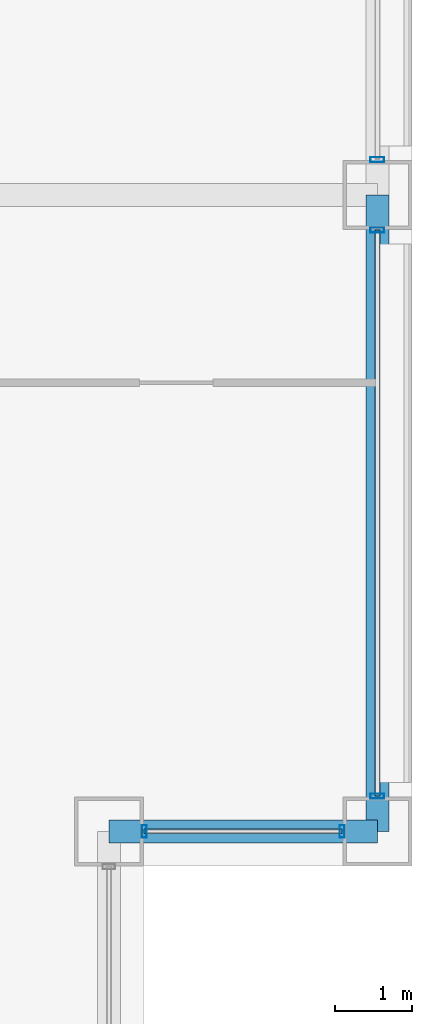
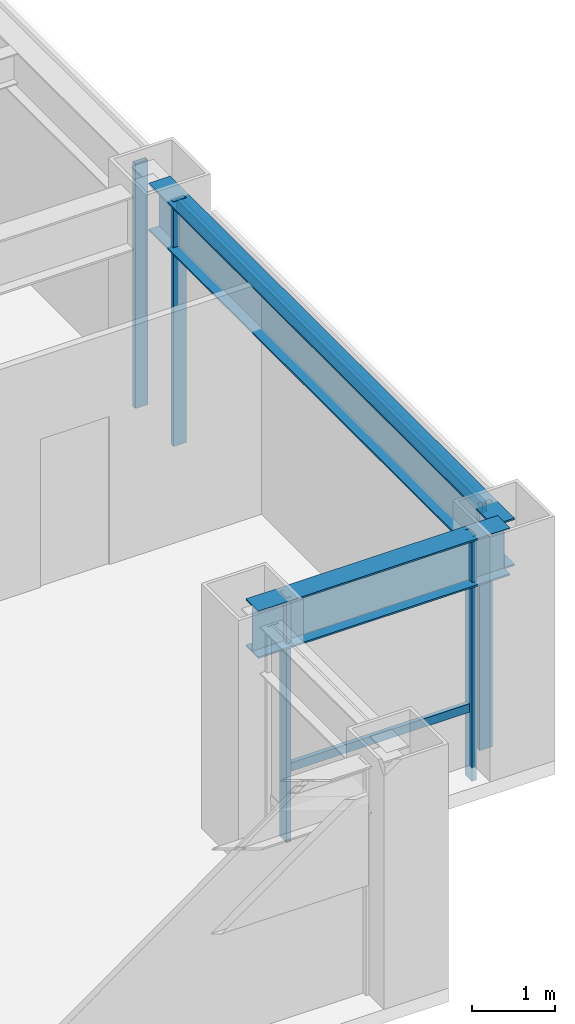
# One storey, part 10 of 28: 7 members, 2 beams, 3 elements without a shape of their own.
"""IFC4 building model written with IfcOpenShell, lengths in metres."""

from ifc_helpers import new_model, si_unit, direction, frame, origin, origin_2d, place, context, subcontext, project, spatial, hollow_rectangle, i_section, extrude, material, layer, layer_set, material_profile, profile_set, type_object, element, aggregate, save


model = new_model("IFC4")

# Units and contexts
model_context = context("Model", 3, precision=1e-05, world=origin(), true_north=direction((0.0, 1.0)))
body_context = subcontext(model_context, "Body", "Model", "MODEL_VIEW")
ifc_project = project(units=[si_unit("LENGTHUNIT", "METRE"), si_unit("AREAUNIT", "SQUARE_METRE"), si_unit("VOLUMEUNIT", "CUBIC_METRE"), si_unit("PLANEANGLEUNIT", "RADIAN"), si_unit("MASSUNIT", "GRAM", prefix="KILO")], contexts=[model_context])

# Site, building, storey
site_placement = place(None, origin())
site = spatial("IfcSite", under=ifc_project, at=site_placement, CompositionType="ELEMENT")
building_placement = place(site_placement, origin())
building = spatial("IfcBuilding", under=site, at=building_placement, Name="Brelmoor Portico Tower", CompositionType="ELEMENT")
storey_placement = place(building_placement, frame((0.0, 0.0, 70.800048828125)))
storey = spatial("IfcBuildingStorey", under=building, at=storey_placement, Name="L18", CompositionType="ELEMENT", Elevation=70.800048828125)

# Beams
ifc_material_1 = material(Name="Steel Q355B", Category="steel")
ifc_material_profile_1 = material_profile(ifc_material_1, i_section(OverallWidth=0.300048828125, OverallDepth=0.699951171875, WebThickness=0.012939453125, FlangeThickness=0.02392578125, at=origin_2d()), Name="HN 700x300x13x24")
ifc_profile_set_1 = profile_set([ifc_material_profile_1], Name="Steel Q355B")
beam_type = type_object("IfcBeamType", Name="BM-SP-700", PredefinedType="SPANDREL", material=ifc_profile_set_1)
beam_1_placement = place(storey_placement, frame((21.050048828125, -18.050048828125, 3.050048828125), z_axis=(1.0, 0.0, 0.0), x_axis=(0.0, 1.0, 0.0)))
element("IfcBeam", 1, at=beam_1_placement, inside=storey, type_object=beam_type, Name="L18 Perimeter Spandrel Beam SP-07", PredefinedType="SPANDREL", context=body_context, shape_type="SweptSolid", body=[
    extrude(i_section(OverallWidth=0.300048828125, OverallDepth=0.699951171875, WebThickness=0.012939453125, FlangeThickness=0.02392578125, at=origin_2d()), origin(), (0.0, 0.0, 1.0), 3.5),
])
beam_2_placement = place(storey_placement, frame((24.550048828125, -18.050048828125, 3.050048828125), z_axis=(0.0, 1.0, 0.0), x_axis=(-1.0, 0.0, 0.0)))
element("IfcBeam", 2, at=beam_2_placement, inside=storey, type_object=beam_type, Name="L18 Perimeter Spandrel Beam SP-22", PredefinedType="SPANDREL", context=body_context, shape_type="SweptSolid", body=[
    extrude(i_section(OverallWidth=0.300048828125, OverallDepth=0.699951171875, WebThickness=0.012939453125, FlangeThickness=0.02392578125, at=origin_2d()), origin(), (0.0, 0.0, 1.0), 8.300048828125),
])

# Curtain wall, members
ifc_material_2 = material(Name="Anodised Aluminium Alloy 6063-T6", Category="aluminium")
ifc_layer_1 = layer(ifc_material_2, 0.179931640625)
ifc_layer_set_1 = layer_set([ifc_layer_1], Name="Anodised Aluminium Alloy 6063-T6")
curtain_wall_type_1 = type_object("IfcCurtainWallType", Name="CW-NOTCH-CHAMFER", PredefinedType="NOTDEFINED", material=ifc_layer_set_1)
curtain_wall_1_placement = place(storey_placement, origin())
curtain_wall_1 = element("IfcCurtainWall", 3, at=curtain_wall_1_placement, inside=storey, type_object=curtain_wall_type_1, Name="L18 Curtain Wall CWN-L18-SEH", PredefinedType="NOTDEFINED")
ifc_material_profile_2 = material_profile(ifc_material_2, hollow_rectangle(XDim=0.06494140625, YDim=0.1650390625, WallThickness=0.00390625, at=origin_2d()), Name="ALU MULLION 65x165")
ifc_profile_set_2 = profile_set([ifc_material_profile_2], Name="Anodised Aluminium Alloy 6063-T6")
member_type_1 = type_object("IfcMemberType", Name="MB-CW-MULL-165", PredefinedType="MULLION", material=ifc_profile_set_2)
member_1_placement = place(storey_placement, frame((21.510009765625, -18.050048828125, -0.199951171875), z_axis=(0.0, 0.0, 1.0), x_axis=(1.0, 0.0, 0.0)))
member_1 = element("IfcMember", 4, at=member_1_placement, type_object=member_type_1, Name="CWN-L18-SEH Mullion 00", PredefinedType="MULLION", context=body_context, shape_type="SweptSolid", body=[
    extrude(hollow_rectangle(XDim=0.06494140625, YDim=0.1650390625, WallThickness=0.00390625, at=origin_2d()), origin(), (0.0, 0.0, 1.0), 3.599853515625),
])
member_2_placement = place(storey_placement, frame((24.090087890625, -18.050048828125, -0.199951171875), z_axis=(0.0, 0.0, 1.0), x_axis=(1.0, 0.0, 0.0)))
member_2 = element("IfcMember", 5, at=member_2_placement, type_object=member_type_1, Name="CWN-L18-SEH Mullion 01", PredefinedType="MULLION", context=body_context, shape_type="SweptSolid", body=[
    extrude(hollow_rectangle(XDim=0.06494140625, YDim=0.1650390625, WallThickness=0.00390625, at=origin_2d()), origin(), (0.0, 0.0, 1.0), 3.599853515625),
])

ifc_layer_2 = layer(ifc_material_2, 0.179931640625)
ifc_layer_set_2 = layer_set([ifc_layer_2], Name="Anodised Aluminium Alloy 6063-T6")
curtain_wall_type_2 = type_object("IfcCurtainWallType", Name="CW-TOWER-Z1-XB", PredefinedType="NOTDEFINED", material=ifc_layer_set_2)
curtain_wall_2_placement = place(storey_placement, origin())
curtain_wall_2 = element("IfcCurtainWall", 6, at=curtain_wall_2_placement, inside=storey, type_object=curtain_wall_type_2, Name="L18 Curtain Wall CW-L18-04-1", PredefinedType="NOTDEFINED")
ifc_material_profile_3 = material_profile(ifc_material_2, hollow_rectangle(XDim=0.06494140625, YDim=0.179931640625, WallThickness=0.00390625, at=origin_2d()), Name="ALU MULLION 65x180")
ifc_profile_set_3 = profile_set([ifc_material_profile_3], Name="Anodised Aluminium Alloy 6063-T6")
member_type_2 = type_object("IfcMemberType", Name="MB-CW-MULL-180", PredefinedType="MULLION", material=ifc_profile_set_3)
member_3_placement = place(storey_placement, frame((24.550048828125, -17.590087890625, -0.199951171875), z_axis=(0.0, 0.0, 1.0), x_axis=(0.0, 1.0, 0.0)))
member_3 = element("IfcMember", 7, at=member_3_placement, type_object=member_type_2, Name="CW-L18-04-1 Mullion 00", PredefinedType="MULLION", context=body_context, shape_type="SweptSolid", body=[
    extrude(hollow_rectangle(XDim=0.06494140625, YDim=0.179931640625, WallThickness=0.00390625, at=origin_2d()), origin(), (0.0, 0.0, 1.0), 3.599853515625),
])
member_4_placement = place(storey_placement, frame((24.550048828125, -10.2099609375, -0.199951171875), z_axis=(0.0, 0.0, 1.0), x_axis=(0.0, 1.0, 0.0)))
member_4 = element("IfcMember", 8, at=member_4_placement, type_object=member_type_2, Name="CW-L18-04-1 Mullion 01", PredefinedType="MULLION", context=body_context, shape_type="SweptSolid", body=[
    extrude(hollow_rectangle(XDim=0.06494140625, YDim=0.179931640625, WallThickness=0.00390625, at=origin_2d()), origin(), (0.0, 0.0, 1.0), 3.599853515625),
])

# Curtain wall, member
curtain_wall_3_placement = place(storey_placement, origin())
curtain_wall_3 = element("IfcCurtainWall", 9, at=curtain_wall_3_placement, inside=storey, type_object=curtain_wall_type_2, Name="L18 Curtain Wall CW-L18-04-2", PredefinedType="NOTDEFINED")
member_5_placement = place(storey_placement, frame((24.550048828125, -9.2900390625, -0.199951171875), z_axis=(0.0, 0.0, 1.0), x_axis=(0.0, 1.0, 0.0)))
member_5 = element("IfcMember", 10, at=member_5_placement, type_object=member_type_2, Name="CW-L18-04-2 Mullion 00", PredefinedType="MULLION", context=body_context, shape_type="SweptSolid", body=[
    extrude(hollow_rectangle(XDim=0.06494140625, YDim=0.179931640625, WallThickness=0.00390625, at=origin_2d()), origin(), (0.0, 0.0, 1.0), 3.599853515625),
])
aggregate(curtain_wall_3, [member_5])

# Member
ifc_material_profile_4 = material_profile(ifc_material_2, hollow_rectangle(XDim=0.06005859375, YDim=0.125, WallThickness=0.00341796875, at=origin_2d()), Name="ALU TRANSOM 60x125")
ifc_profile_set_4 = profile_set([ifc_material_profile_4], Name="Anodised Aluminium Alloy 6063-T6")
member_type_3 = type_object("IfcMemberType", Name="MB-CW-TRAN-125", PredefinedType="USERDEFINED", material=ifc_profile_set_4)
member_6_placement = place(storey_placement, frame((21.510009765625, -18.050048828125, 0.849853515625), z_axis=(1.0, 0.0, 0.0), x_axis=(0.0, 1.0, 0.0)))
member_6 = element("IfcMember", 11, at=member_6_placement, type_object=member_type_3, Name="CWN-L18-SEH Transom 1-00", ObjectType="TRANSOM", PredefinedType="USERDEFINED", context=body_context, shape_type="SweptSolid", body=[
    extrude(hollow_rectangle(XDim=0.06005859375, YDim=0.125, WallThickness=0.00341796875, at=origin_2d()), origin(), (0.0, 0.0, 1.0), 2.580078125),
])

aggregate(curtain_wall_1, [member_1, member_2, member_6])

ifc_material_profile_5 = material_profile(ifc_material_2, hollow_rectangle(XDim=0.06494140625, YDim=0.139892578125, WallThickness=0.00390625, at=origin_2d()), Name="ALU TRANSOM 65x140")
ifc_profile_set_5 = profile_set([ifc_material_profile_5], Name="Anodised Aluminium Alloy 6063-T6")
member_type_4 = type_object("IfcMemberType", Name="MB-CW-TRAN-140", PredefinedType="USERDEFINED", material=ifc_profile_set_5)
member_7_placement = place(storey_placement, frame((24.550048828125, -17.590087890625, 3.329833984375), z_axis=(0.0, 1.0, 0.0), x_axis=(-1.0, 0.0, 0.0)))
member_7 = element("IfcMember", 12, at=member_7_placement, type_object=member_type_4, Name="CW-L18-04-1 Transom 1-00", ObjectType="TRANSOM", PredefinedType="USERDEFINED", context=body_context, shape_type="SweptSolid", body=[
    extrude(hollow_rectangle(XDim=0.06494140625, YDim=0.139892578125, WallThickness=0.00390625, at=origin_2d()), origin(), (0.0, 0.0, 1.0), 7.380126953125),
])

aggregate(curtain_wall_2, [member_3, member_4, member_7])

save(model, "model.ifc")
